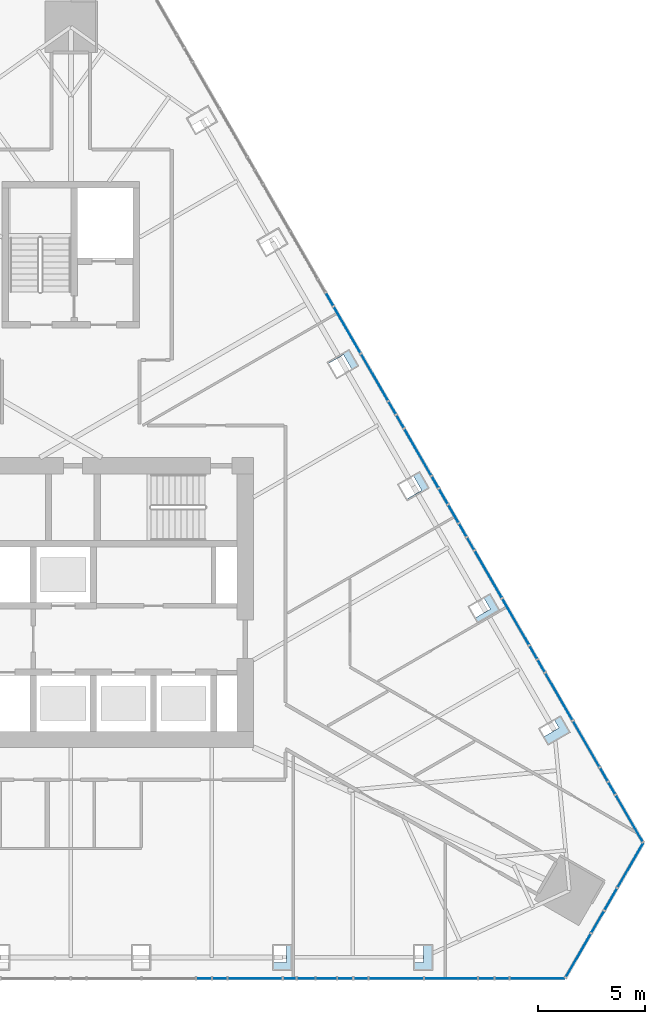
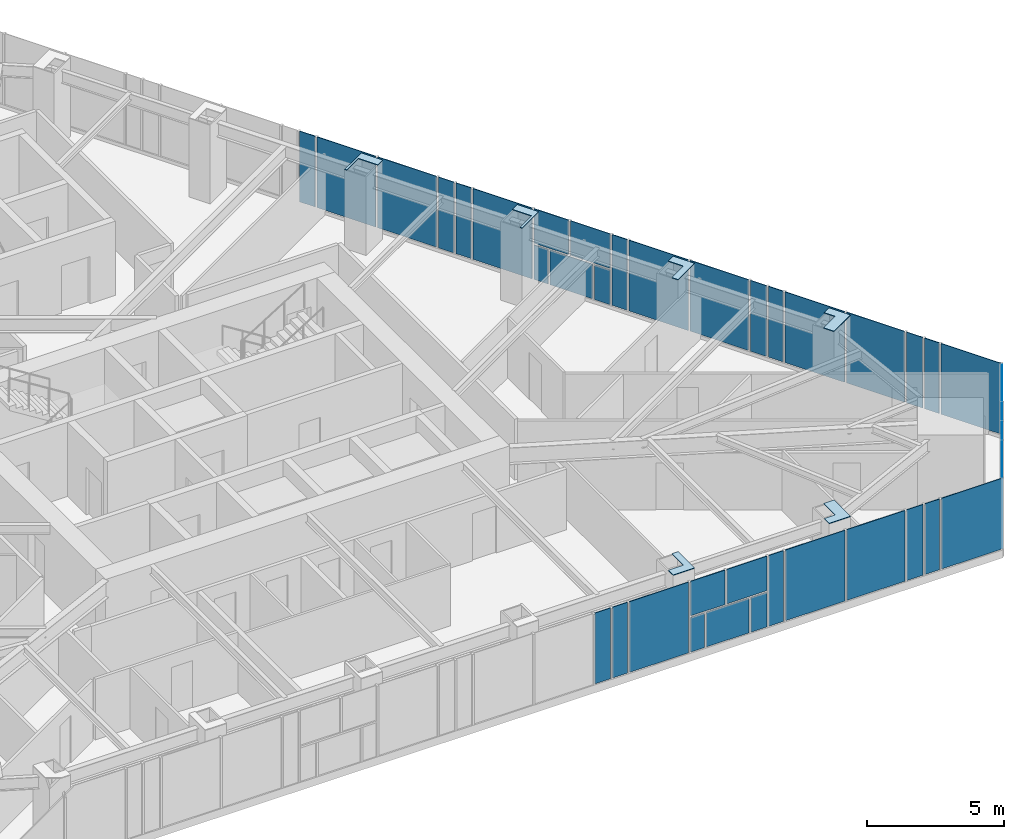
# One storey, part 13 of 20: 45 plates, 3 elements without a shape of their own.
"""IFC4 building model written with IfcOpenShell, lengths in metres."""

from ifc_helpers import new_model, si_unit, direction, frame, origin, place, context, subcontext, project, spatial, polyline, outline, extrude, material, layer, layer_set, type_object, element, aggregate, save


model = new_model("IFC4")

# Units and contexts
model_context = context("Model", 3, precision=1e-05, world=origin(), true_north=direction((0.0, 1.0)))
body_context = subcontext(model_context, "Body", "Model", "MODEL_VIEW")
ifc_project = project(units=[si_unit("LENGTHUNIT", "METRE"), si_unit("AREAUNIT", "SQUARE_METRE"), si_unit("VOLUMEUNIT", "CUBIC_METRE"), si_unit("PLANEANGLEUNIT", "RADIAN"), si_unit("MASSUNIT", "GRAM", prefix="KILO")], contexts=[model_context])

# Site, building, storey
site_placement = place(None, origin())
site = spatial("IfcSite", under=ifc_project, at=site_placement, CompositionType="ELEMENT")
building_placement = place(site_placement, origin())
building = spatial("IfcBuilding", under=site, at=building_placement, Name="Firuza Gate Tower and Library", CompositionType="ELEMENT")
storey_placement = place(building_placement, frame((0.0, 0.0, 277.60009765625)))
storey = spatial("IfcBuildingStorey", under=building, at=storey_placement, Name="L66", CompositionType="ELEMENT", Elevation=277.60009765625)

# Plates
ifc_material_1 = material(Name="Steel S355", Category="steel")
ifc_layer_1 = layer(ifc_material_1, 0.030029296875)
ifc_layer_set_1 = layer_set([ifc_layer_1], Name="Column infill plate 30 Steel S355")
plate_type_1 = type_object("IfcPlateType", Name="Column infill plate 30 Steel S355", PredefinedType="SHEET", material=ifc_layer_set_1)
placement_1 = place(storey_placement, frame((0.0, 0.0, 3.5)))
element("IfcPlate", 1, at=placement_1, inside=storey, type_object=plate_type_1, Name="Infill plate L66:S5", PredefinedType="SHEET", context=body_context, shape_type="SweptSolid", body=[
    extrude(outline(polyline([(85.298095703125, 59.076416015625), (85.033935546875, 59.076416015625), (85.033935546875, 58.23193359375), (84.39794921875, 58.23193359375), (84.39794921875, 57.876220703125), (85.298095703125, 57.876220703125), (85.298095703125, 59.076416015625)])), origin(), (0.0, 0.0, 1.0), 0.02978515625),
])
element("IfcPlate", 2, at=placement_1, inside=storey, type_object=plate_type_1, Name="Infill plate L66:S6", PredefinedType="SHEET", context=body_context, shape_type="SweptSolid", body=[
    extrude(outline(polyline([(91.86328125, 59.076416015625), (91.42333984375, 59.076416015625), (91.42333984375, 58.23193359375), (90.96337890625, 58.23193359375), (90.96337890625, 57.876220703125), (91.86328125, 57.876220703125), (91.86328125, 59.076416015625)])), origin(), (0.0, 0.0, 1.0), 0.02978515625),
])
element("IfcPlate", 3, at=placement_1, inside=storey, type_object=plate_type_1, Name="Infill plate L66:E1", PredefinedType="SHEET", context=body_context, shape_type="SweptSolid", body=[
    extrude(outline(polyline([(97.811279296875, 69.737060546875), (97.503173828125, 69.559326171875), (97.733154296875, 69.160888671875), (97.001953125, 68.73876953125), (97.221923828125, 68.357666015625), (98.26123046875, 68.957763671875), (97.811279296875, 69.737060546875)])), origin(), (0.0, 0.0, 1.0), 0.02978515625),
])
element("IfcPlate", 4, at=placement_1, inside=storey, type_object=plate_type_1, Name="Infill plate L66:E2", PredefinedType="SHEET", context=body_context, shape_type="SweptSolid", body=[
    extrude(outline(polyline([(94.528564453125, 75.4228515625), (94.220458984375, 75.2451171875), (94.53857421875, 74.6943359375), (93.807373046875, 74.272216796875), (93.939208984375, 74.04345703125), (94.978515625, 74.6435546875), (94.528564453125, 75.4228515625)])), origin(), (0.0, 0.0, 1.0), 0.02978515625),
])
element("IfcPlate", 5, at=placement_1, inside=storey, type_object=plate_type_1, Name="Infill plate L66:E3", PredefinedType="SHEET", context=body_context, shape_type="SweptSolid", body=[
    extrude(outline(polyline([(91.245849609375, 81.108642578125), (90.937744140625, 80.930908203125), (91.34375, 80.2275390625), (90.612548828125, 79.805419921875), (90.65673828125, 79.729248046875), (91.69580078125, 80.329345703125), (91.245849609375, 81.108642578125)])), origin(), (0.0, 0.0, 1.0), 0.02978515625),
])
element("IfcPlate", 6, at=placement_1, inside=storey, type_object=plate_type_1, Name="Infill plate L66:E4", PredefinedType="SHEET", context=body_context, shape_type="SweptSolid", body=[
    extrude(outline(polyline([(86.924072265625, 86.1943359375), (86.968017578125, 86.1181640625), (87.69921875, 86.540283203125), (88.105224609375, 85.837158203125), (88.4130859375, 86.014892578125), (87.963134765625, 86.79443359375), (86.924072265625, 86.1943359375)])), origin(), (0.0, 0.0, 1.0), 0.02978515625),
])

# Curtain wall, plates
ifc_material_2 = material(Name="Aluminium 6063-T6", Category="aluminium")
ifc_layer_2 = layer(ifc_material_2, 0.14990234375)
ifc_layer_set_2 = layer_set([ifc_layer_2], Name="Corner curtain wall, chamfers")
curtain_wall_type_1 = type_object("IfcCurtainWallType", Name="Corner curtain wall, chamfers", PredefinedType="NOTDEFINED", material=ifc_layer_set_2)
placement_2 = place(storey_placement, origin())
curtain_wall_1 = element("IfcCurtainWall", 7, at=placement_2, inside=storey, type_object=curtain_wall_type_1, Name="CW4 L66 SE corner", PredefinedType="NOTDEFINED")
ifc_material_3 = material(Name="Fritted glass", Category="glass")
ifc_layer_3 = layer(ifc_material_3, 0.030029296875)
ifc_layer_set_3 = layer_set([ifc_layer_3], Name="Fritted glass unit, corners")
plate_type_2 = type_object("IfcPlateType", Name="Fritted glass unit, corners", PredefinedType="CURTAIN_PANEL", material=ifc_layer_set_3)
plate_7_placement = place(storey_placement, frame((99.265625, 59.625244140625, 0.14990234375), z_axis=(0.866064577141, -0.499932143616, 0.0), x_axis=(0.499932143616, 0.866064577141, 0.0)))
plate_7 = element("IfcPlate", 8, at=plate_7_placement, type_object=plate_type_2, Name="Glass unit", PredefinedType="CURTAIN_PANEL", context=body_context, shape_type="SweptSolid", body=[
    extrude(outline(polyline([(0.0, 0.0), (1.1422448609608669, 0.0), (1.1422448609608669, 3.14990234375), (0.0, 3.14990234375), (0.0, 0.0)])), origin(), (0.0, 0.0, -1.0), 0.030029296875),
])
plate_8_placement = place(storey_placement, frame((99.876708984375, 60.68359375, 0.14990234375), z_axis=(0.866064577141, -0.499932143616, 0.0), x_axis=(0.499932143616, 0.866064577141, 0.0)))
plate_8 = element("IfcPlate", 9, at=plate_8_placement, type_object=plate_type_2, Name="Glass unit", PredefinedType="CURTAIN_PANEL", context=body_context, shape_type="SweptSolid", body=[
    extrude(outline(polyline([(0.0, 0.0), (1.1422448609608669, 0.0), (1.1422448609608669, 3.14990234375), (0.0, 3.14990234375), (0.0, 0.0)])), origin(), (0.0, 0.0, -1.0), 0.030029296875),
])

ifc_material_4 = material(Name="Aluminium 6063-T6", Category="aluminium")
ifc_layer_4 = layer(ifc_material_4, 0.14990234375)
ifc_layer_set_4 = layer_set([ifc_layer_4], Name="Unitised curtain wall, residences")
curtain_wall_type_2 = type_object("IfcCurtainWallType", Name="Unitised curtain wall, residences", PredefinedType="NOTDEFINED", material=ifc_layer_set_4)
curtain_wall_2 = element("IfcCurtainWall", 10, at=placement_2, inside=storey, type_object=curtain_wall_type_2, Name="CW3 L66 S face", PredefinedType="NOTDEFINED")
ifc_material_5 = material(Name="Fritted glass", Category="glass")
ifc_layer_5 = layer(ifc_material_5, 0.030029296875)
ifc_layer_set_5 = layer_set([ifc_layer_5], Name="Fritted glass unit, residences")
plate_type_3 = type_object("IfcPlateType", Name="Fritted glass unit, residences", PredefinedType="CURTAIN_PANEL", material=ifc_layer_set_5)
plate_9_placement = place(storey_placement, frame((80.875, 57.486328125, 0.14990234375), z_axis=(0.0, -1.0, 0.0), x_axis=(1.0, 0.0, 0.0)))
plate_9 = element("IfcPlate", 11, at=plate_9_placement, type_object=plate_type_3, Name="Glass unit", PredefinedType="CURTAIN_PANEL", context=body_context, shape_type="SweptSolid", body=[
    extrude(outline(polyline([(0.0, 0.0), (0.66259765625, 0.0), (0.66259765625, 3.14990234375), (0.0, 3.14990234375), (0.0, 0.0)])), origin(), (0.0, 0.0, -1.0), 0.030029296875),
])
plate_10_placement = place(storey_placement, frame((81.61767578125, 57.486328125, 0.14990234375), z_axis=(0.0, -1.0, 0.0), x_axis=(1.0, 0.0, 0.0)))
plate_10 = element("IfcPlate", 12, at=plate_10_placement, type_object=plate_type_3, Name="Glass unit", PredefinedType="CURTAIN_PANEL", context=body_context, shape_type="SweptSolid", body=[
    extrude(outline(polyline([(0.0, 0.0), (0.637939453125, 0.0), (0.637939453125, 3.14990234375), (0.0, 3.14990234375), (0.0, 0.0)])), origin(), (0.0, 0.0, -1.0), 0.030029296875),
])
plate_11_placement = place(storey_placement, frame((84.906494140625, 57.486328125, 0.14990234375), z_axis=(0.0, -1.0, 0.0), x_axis=(1.0, 0.0, 0.0)))
plate_11 = element("IfcPlate", 13, at=plate_11_placement, type_object=plate_type_3, Name="Glass unit", PredefinedType="CURTAIN_PANEL", context=body_context, shape_type="SweptSolid", body=[
    extrude(outline(polyline([(0.0, 0.0), (0.57861328125, 0.0), (0.57861328125, 1.534912109375), (0.0, 1.534912109375), (0.0, 0.0)])), origin(), (0.0, 0.0, -1.0), 0.030029296875),
])
plate_12_placement = place(storey_placement, frame((87.4404296875, 57.486328125, 0.14990234375), z_axis=(0.0, -1.0, 0.0), x_axis=(1.0, 0.0, 0.0)))
plate_12 = element("IfcPlate", 14, at=plate_12_placement, type_object=plate_type_3, Name="Glass unit", PredefinedType="CURTAIN_PANEL", context=body_context, shape_type="SweptSolid", body=[
    extrude(outline(polyline([(0.0, 0.0), (0.675048828125, 0.0), (0.675048828125, 1.534912109375), (0.0, 1.534912109375), (0.0, 0.0)])), origin(), (0.0, 0.0, -1.0), 0.030029296875),
])
plate_13_placement = place(storey_placement, frame((86.4306640625, 57.486328125, 1.764892578125), z_axis=(0.0, -1.0, 0.0), x_axis=(1.0, 0.0, 0.0)))
plate_13 = element("IfcPlate", 15, at=plate_13_placement, type_object=plate_type_3, Name="Glass unit", PredefinedType="CURTAIN_PANEL", context=body_context, shape_type="SweptSolid", body=[
    extrude(outline(polyline([(0.0, 0.0), (1.684814453125, 0.0), (1.684814453125, 1.534912109375), (0.0, 1.534912109375), (0.0, 0.0)])), origin(), (0.0, 0.0, -1.0), 0.030029296875),
])
plate_14_placement = place(storey_placement, frame((88.1953125, 57.486328125, 0.14990234375), z_axis=(0.0, -1.0, 0.0), x_axis=(1.0, 0.0, 0.0)))
plate_14 = element("IfcPlate", 16, at=plate_14_placement, type_object=plate_type_3, Name="Glass unit", PredefinedType="CURTAIN_PANEL", context=body_context, shape_type="SweptSolid", body=[
    extrude(outline(polyline([(0.0, 0.0), (0.62548828125, 0.0), (0.62548828125, 3.14990234375), (0.0, 3.14990234375), (0.0, 0.0)])), origin(), (0.0, 0.0, -1.0), 0.030029296875),
])
plate_15_placement = place(storey_placement, frame((94.005859375, 57.486328125, 0.14990234375), z_axis=(0.0, -1.0, 0.0), x_axis=(1.0, 0.0, 0.0)))
plate_15 = element("IfcPlate", 17, at=plate_15_placement, type_object=plate_type_3, Name="Glass unit", PredefinedType="CURTAIN_PANEL", context=body_context, shape_type="SweptSolid", body=[
    extrude(outline(polyline([(0.0, 0.0), (0.687255859375, 0.0), (0.687255859375, 3.14990234375), (0.0, 3.14990234375), (0.0, 0.0)])), origin(), (0.0, 0.0, -1.0), 0.030029296875),
])
plate_16_placement = place(storey_placement, frame((94.773193359375, 57.486328125, 0.14990234375), z_axis=(0.0, -1.0, 0.0), x_axis=(1.0, 0.0, 0.0)))
plate_16 = element("IfcPlate", 18, at=plate_16_placement, type_object=plate_type_3, Name="Glass unit", PredefinedType="CURTAIN_PANEL", context=body_context, shape_type="SweptSolid", body=[
    extrude(outline(polyline([(0.0, 0.0), (0.613037109375, 0.0), (0.613037109375, 3.14990234375), (0.0, 3.14990234375), (0.0, 0.0)])), origin(), (0.0, 0.0, -1.0), 0.030029296875),
])

curtain_wall_3 = element("IfcCurtainWall", 19, at=placement_2, inside=storey, type_object=curtain_wall_type_2, Name="CW3 L66 E face", PredefinedType="NOTDEFINED")
plate_17_placement = place(storey_placement, frame((100.3603515625, 66.101806640625, 0.14990234375), z_axis=(0.865980029404, 0.500078582497, 0.0), x_axis=(-0.500078582497, 0.865980029404, 0.0)))
plate_17 = element("IfcPlate", 20, at=plate_17_placement, type_object=plate_type_3, Name="Glass unit", PredefinedType="CURTAIN_PANEL", context=body_context, shape_type="SweptSolid", body=[
    extrude(outline(polyline([(0.0, 0.0), (0.6131848788016326, 0.0), (0.6131848788016326, 3.14990234375), (0.0, 3.14990234375), (0.0, 0.0)])), origin(), (0.0, 0.0, -1.0), 0.030029296875),
])
plate_18_placement = place(storey_placement, frame((100.013916015625, 66.7021484375, 0.14990234375), z_axis=(0.865960792519, 0.5001118933, 0.0), x_axis=(-0.5001118933, 0.865960792519, 0.0)))
plate_18 = element("IfcPlate", 21, at=plate_18_placement, type_object=plate_type_3, Name="Glass unit", PredefinedType="CURTAIN_PANEL", context=body_context, shape_type="SweptSolid", body=[
    extrude(outline(polyline([(0.0, 0.0), (0.6873461811346134, 0.0), (0.6873461811346134, 3.14990234375), (0.0, 3.14990234375), (0.0, 0.0)])), origin(), (0.0, 0.0, -1.0), 0.030029296875),
])
plate_19_placement = place(storey_placement, frame((97.07763671875, 71.78759765625, 0.14990234375), z_axis=(0.866049104564, 0.499958946799, 0.0), x_axis=(-0.499958946799, 0.866049104564, 0.0)))
plate_19 = element("IfcPlate", 22, at=plate_19_placement, type_object=plate_type_3, Name="Glass unit", PredefinedType="CURTAIN_PANEL", context=body_context, shape_type="SweptSolid", body=[
    extrude(outline(polyline([(0.0, 0.0), (0.6255396420596755, 0.0), (0.6255396420596755, 3.14990234375), (0.0, 3.14990234375), (0.0, 0.0)])), origin(), (0.0, 0.0, -1.0), 0.030029296875),
])
plate_20_placement = place(storey_placement, frame((96.72509765625, 72.3984375, 0.14990234375), z_axis=(0.865986868696, 0.500066738792, 0.0), x_axis=(-0.500066738792, 0.865986868696, 0.0)))
plate_20 = element("IfcPlate", 23, at=plate_20_placement, type_object=plate_type_3, Name="Glass unit", PredefinedType="CURTAIN_PANEL", context=body_context, shape_type="SweptSolid", body=[
    extrude(outline(polyline([(0.0, 0.0), (0.675202844305737, 0.0), (0.675202844305737, 3.14990234375), (0.0, 3.14990234375), (0.0, 0.0)])), origin(), (0.0, 0.0, -1.0), 0.030029296875),
])
plate_21_placement = place(storey_placement, frame((93.795166015625, 77.473388671875, 0.14990234375), z_axis=(0.865854018966, 0.500296729792, 0.0), x_axis=(-0.500296729792, 0.865854018966, 0.0)))
plate_21 = element("IfcPlate", 24, at=plate_21_placement, type_object=plate_type_3, Name="Glass unit", PredefinedType="CURTAIN_PANEL", context=body_context, shape_type="SweptSolid", body=[
    extrude(outline(polyline([(0.0, 0.0), (0.6378050822116818, 0.0), (0.6378050822116818, 3.149902343750001), (0.0, 3.149902343750001), (0.0, 0.0)])), origin(), (0.0, 0.0, -1.0), 0.030029296875),
])
plate_22_placement = place(storey_placement, frame((93.43603515625, 78.094970703125, 0.14990234375), z_axis=(0.866081306307, 0.499903161488, 0.0), x_axis=(-0.499903161488, 0.866081306307, 0.0)))
plate_22 = element("IfcPlate", 25, at=plate_22_placement, type_object=plate_type_3, Name="Glass unit", PredefinedType="CURTAIN_PANEL", context=body_context, shape_type="SweptSolid", body=[
    extrude(outline(polyline([(0.0, 0.0), (0.6627260110514617, 0.0), (0.6627260110514617, 1.5349121093749998), (0.0, 1.5349121093749998), (0.0, 0.0)])), origin(), (0.0, 0.0, -1.0), 0.030029296875),
])
plate_23_placement = place(storey_placement, frame((92.127197265625, 80.3623046875, 0.14990234375), z_axis=(0.86604797581, 0.499960902066, 0.0), x_axis=(-0.499960902066, 0.86604797581, 0.0)))
plate_23 = element("IfcPlate", 26, at=plate_23_placement, type_object=plate_type_3, Name="Glass unit", PredefinedType="CURTAIN_PANEL", context=body_context, shape_type="SweptSolid", body=[
    extrude(outline(polyline([(0.0, 0.0), (0.590866515819954, 0.0), (0.590866515819954, 1.534912109375), (0.0, 1.534912109375), (0.0, 0.0)])), origin(), (0.0, 0.0, -1.0), 0.030029296875),
])
plate_24_placement = place(storey_placement, frame((93.43603515625, 78.094970703125, 1.764892578125), z_axis=(0.866051895906, 0.499954111491, 0.0), x_axis=(-0.499954111491, 0.866051895906, 0.0)))
plate_24 = element("IfcPlate", 27, at=plate_24_placement, type_object=plate_type_3, Name="Glass unit", PredefinedType="CURTAIN_PANEL", context=body_context, shape_type="SweptSolid", body=[
    extrude(outline(polyline([(0.0, 0.0), (1.672516779851061, 0.0), (1.672516779851061, 1.534912109375), (0.0, 1.534912109375), (0.0, 0.0)])), origin(), (0.0, 0.0, -1.0), 0.030029296875),
])
plate_25_placement = place(storey_placement, frame((90.512451171875, 83.1591796875, 0.14990234375), z_axis=(0.865922902183, 0.50017749597, 0.0), x_axis=(-0.50017749597, 0.865922902183, 0.0)))
plate_25 = element("IfcPlate", 28, at=plate_25_placement, type_object=plate_type_3, Name="Glass unit", PredefinedType="CURTAIN_PANEL", context=body_context, shape_type="SweptSolid", body=[
    extrude(outline(polyline([(0.0, 0.0), (0.6501598235024999, 0.0), (0.6501598235024999, 3.14990234375), (0.0, 3.14990234375), (0.0, 0.0)])), origin(), (0.0, 0.0, -1.0), 0.030029296875),
])
plate_26_placement = place(storey_placement, frame((90.147216796875, 83.79150390625, 0.14990234375), z_axis=(0.866085525409, 0.49989585183, 0.0), x_axis=(-0.49989585183, 0.866085525409, 0.0)))
plate_26 = element("IfcPlate", 29, at=plate_26_placement, type_object=plate_type_3, Name="Glass unit", PredefinedType="CURTAIN_PANEL", context=body_context, shape_type="SweptSolid", body=[
    extrude(outline(polyline([(0.0, 0.0), (0.650037744233183, 0.0), (0.650037744233183, 3.14990234375), (0.0, 3.14990234375), (0.0, 0.0)])), origin(), (0.0, 0.0, -1.0), 0.030029296875),
])
plate_27_placement = place(storey_placement, frame((87.229736328125, 88.8447265625, 0.14990234375), z_axis=(0.866081306307, 0.499903161488, 0.0), x_axis=(-0.499903161488, 0.866081306307, 0.0)))
plate_27 = element("IfcPlate", 30, at=plate_27_placement, type_object=plate_type_3, Name="Glass unit", PredefinedType="CURTAIN_PANEL", context=body_context, shape_type="SweptSolid", body=[
    extrude(outline(polyline([(0.0, 0.0), (0.6627260110514617, 0.0), (0.6627260110514617, 3.14990234375), (0.0, 3.14990234375), (0.0, 0.0)])), origin(), (0.0, 0.0, -1.0), 0.030029296875),
])

# Plate
ifc_material_6 = material(Name="Glazed ceramic tile")
ifc_layer_6 = layer(ifc_material_6, 0.030029296875)
ifc_layer_set_6 = layer_set([ifc_layer_6], Name="Opaque ceramic panel, corners")
plate_type_4 = type_object("IfcPlateType", Name="Opaque ceramic panel, corners", PredefinedType="CURTAIN_PANEL", material=ifc_layer_set_6)
plate_28_placement = place(storey_placement, frame((98.054931640625, 57.528564453125, 0.14990234375), z_axis=(0.865994543198, -0.500053448294, 0.0), x_axis=(0.500053448294, 0.865994543198, 0.0)))
plate_28 = element("IfcPlate", 31, at=plate_28_placement, type_object=plate_type_4, Name="Opaque ceramic panel", PredefinedType="CURTAIN_PANEL", context=body_context, shape_type="SweptSolid", body=[
    extrude(outline(polyline([(0.0, 0.0), (2.3410583425997658, 0.0), (2.3410583425997658, 3.14990234375), (0.0, 3.14990234375), (0.0, 0.0)])), origin(), (0.0, 0.0, -1.0), 0.030029296875),
])

plate_29_placement = place(storey_placement, frame((100.48779296875, 61.7421875, 0.14990234375), z_axis=(0.866039702589, -0.499975232926, 0.0), x_axis=(0.499975232926, 0.866039702589, 0.0)))
plate_29 = element("IfcPlate", 32, at=plate_29_placement, type_object=plate_type_4, Name="Opaque ceramic panel", PredefinedType="CURTAIN_PANEL", context=body_context, shape_type="SweptSolid", body=[
    extrude(outline(polyline([(0.0, 0.0), (2.340936268785892, 0.0), (2.340936268785892, 3.149902343750001), (0.0, 3.149902343750001), (0.0, 0.0)])), origin(), (0.0, 0.0, -1.0), 0.030029296875),
])

aggregate(curtain_wall_1, [plate_28, plate_7, plate_8, plate_29])

ifc_material_7 = material(Name="Glazed ceramic tile")
ifc_layer_7 = layer(ifc_material_7, 0.030029296875)
ifc_layer_set_7 = layer_set([ifc_layer_7], Name="Opaque ceramic panel, residences")
plate_type_5 = type_object("IfcPlateType", Name="Opaque ceramic panel, residences", PredefinedType="CURTAIN_PANEL", material=ifc_layer_set_7)
plate_30_placement = place(storey_placement, frame((82.33544921875, 57.486328125, 0.14990234375), z_axis=(0.0, -1.0, 0.0), x_axis=(1.0, 0.0, 0.0)))
plate_30 = element("IfcPlate", 33, at=plate_30_placement, type_object=plate_type_5, Name="Opaque ceramic panel", PredefinedType="CURTAIN_PANEL", context=body_context, shape_type="SweptSolid", body=[
    extrude(outline(polyline([(0.0, 0.0), (2.4912109375, 0.0), (2.4912109375, 3.14990234375), (0.0, 3.14990234375), (0.0, 0.0)])), origin(), (0.0, 0.0, -1.0), 0.030029296875),
])

plate_31_placement = place(storey_placement, frame((85.565185546875, 57.486328125, 0.14990234375), z_axis=(0.0, -1.0, 0.0), x_axis=(1.0, 0.0, 0.0)))
plate_31 = element("IfcPlate", 34, at=plate_31_placement, type_object=plate_type_5, Name="Opaque ceramic panel", PredefinedType="CURTAIN_PANEL", context=body_context, shape_type="SweptSolid", body=[
    extrude(outline(polyline([(0.0, 0.0), (1.795166015625, 0.0), (1.795166015625, 1.534912109375), (0.0, 1.534912109375), (0.0, 0.0)])), origin(), (0.0, 0.0, -1.0), 0.030029296875),
])

plate_32_placement = place(storey_placement, frame((84.906494140625, 57.486328125, 1.764892578125), z_axis=(0.0, -1.0, 0.0), x_axis=(1.0, 0.0, 0.0)))
plate_32 = element("IfcPlate", 35, at=plate_32_placement, type_object=plate_type_5, Name="Opaque ceramic panel", PredefinedType="CURTAIN_PANEL", context=body_context, shape_type="SweptSolid", body=[
    extrude(outline(polyline([(0.0, 0.0), (1.444091796875, 0.0), (1.444091796875, 1.534912109375), (0.0, 1.534912109375), (0.0, 0.0)])), origin(), (0.0, 0.0, -1.0), 0.030029296875),
])

plate_33_placement = place(storey_placement, frame((88.90087890625, 57.486328125, 0.14990234375), z_axis=(0.0, -1.0, 0.0), x_axis=(1.0, 0.0, 0.0)))
plate_33 = element("IfcPlate", 36, at=plate_33_placement, type_object=plate_type_5, Name="Opaque ceramic panel", PredefinedType="CURTAIN_PANEL", context=body_context, shape_type="SweptSolid", body=[
    extrude(outline(polyline([(0.0, 0.0), (2.50341796875, 0.0), (2.50341796875, 3.14990234375), (0.0, 3.14990234375), (0.0, 0.0)])), origin(), (0.0, 0.0, -1.0), 0.030029296875),
])

plate_34_placement = place(storey_placement, frame((91.484375, 57.486328125, 0.14990234375), z_axis=(0.0, -1.0, 0.0), x_axis=(1.0, 0.0, 0.0)))
plate_34 = element("IfcPlate", 37, at=plate_34_placement, type_object=plate_type_5, Name="Opaque ceramic panel", PredefinedType="CURTAIN_PANEL", context=body_context, shape_type="SweptSolid", body=[
    extrude(outline(polyline([(0.0, 0.0), (2.44140625, 0.0), (2.44140625, 3.14990234375), (0.0, 3.14990234375), (0.0, 0.0)])), origin(), (0.0, 0.0, -1.0), 0.030029296875),
])

plate_35_placement = place(storey_placement, frame((95.46630859375, 57.486328125, 0.14990234375), z_axis=(0.0, -1.0, 0.0), x_axis=(1.0, 0.0, 0.0)))
plate_35 = element("IfcPlate", 38, at=plate_35_placement, type_object=plate_type_5, Name="Opaque ceramic panel", PredefinedType="CURTAIN_PANEL", context=body_context, shape_type="SweptSolid", body=[
    extrude(outline(polyline([(0.0, 0.0), (2.515625, 0.0), (2.515625, 3.14990234375), (0.0, 3.14990234375), (0.0, 0.0)])), origin(), (0.0, 0.0, -1.0), 0.030029296875),
])

aggregate(curtain_wall_2, [plate_9, plate_10, plate_30, plate_11, plate_31, plate_12, plate_32, plate_13, plate_14, plate_33, plate_34, plate_15, plate_16, plate_35])

plate_36_placement = place(storey_placement, frame((101.658203125, 63.853759765625, 0.14990234375), z_axis=(0.866036909293, 0.499980071345, 0.0), x_axis=(-0.499980071345, 0.866036909293, 0.0)))
plate_36 = element("IfcPlate", 39, at=plate_36_placement, type_object=plate_type_5, Name="Opaque ceramic panel", PredefinedType="CURTAIN_PANEL", context=body_context, shape_type="SweptSolid", body=[
    extrude(outline(polyline([(0.0, 0.0), (2.5157252700440838, 0.0), (2.5157252700440838, 3.1499023437499996), (0.0, 3.1499023437499996), (0.0, 0.0)])), origin(), (0.0, 0.0, -1.0), 0.030029296875),
])

plate_37_placement = place(storey_placement, frame((99.630126953125, 67.36669921875, 0.14990234375), z_axis=(0.866019052629, 0.500011000363, 0.0), x_axis=(-0.500011000363, 0.866019052629, 0.0)))
plate_37 = element("IfcPlate", 40, at=plate_37_placement, type_object=plate_type_5, Name="Opaque ceramic panel", PredefinedType="CURTAIN_PANEL", context=body_context, shape_type="SweptSolid", body=[
    extrude(outline(polyline([(0.0, 0.0), (2.441352538471667, 0.0), (2.441352538471667, 3.149902343750001), (0.0, 3.149902343750001), (0.0, 0.0)])), origin(), (0.0, 0.0, -1.0), 0.030029296875),
])

plate_38_placement = place(storey_placement, frame((98.369384765625, 69.55029296875, 0.14990234375), z_axis=(0.866019930389, 0.500009480079, 0.0), x_axis=(-0.500009480079, 0.866019930389, 0.0)))
plate_38 = element("IfcPlate", 41, at=plate_38_placement, type_object=plate_type_5, Name="Opaque ceramic panel", PredefinedType="CURTAIN_PANEL", context=body_context, shape_type="SweptSolid", body=[
    extrude(outline(polyline([(0.0, 0.0), (2.5033705044482844, 0.0), (2.5033705044482844, 3.14990234375), (0.0, 3.14990234375), (0.0, 0.0)])), origin(), (0.0, 0.0, -1.0), 0.030029296875),
])

plate_39_placement = place(storey_placement, frame((96.347412109375, 73.052490234375, 0.14990234375), z_axis=(0.866036465138, 0.499980840684, 0.0), x_axis=(-0.499980840684, 0.866036465138, 0.0)))
plate_39 = element("IfcPlate", 42, at=plate_39_placement, type_object=plate_type_5, Name="Opaque ceramic panel", PredefinedType="CURTAIN_PANEL", context=body_context, shape_type="SweptSolid", body=[
    extrude(outline(polyline([(0.0, 0.0), (2.453707303954895, 0.0), (2.453707303954895, 3.14990234375), (0.0, 3.14990234375), (0.0, 0.0)])), origin(), (0.0, 0.0, -1.0), 0.030029296875),
])

plate_40_placement = place(storey_placement, frame((95.08056640625, 75.246826171875, 0.14990234375), z_axis=(0.866002782049, 0.500039179948, 0.0), x_axis=(-0.500039179948, 0.866002782049, 0.0)))
plate_40 = element("IfcPlate", 43, at=plate_40_placement, type_object=plate_type_5, Name="Opaque ceramic panel", PredefinedType="CURTAIN_PANEL", context=body_context, shape_type="SweptSolid", body=[
    extrude(outline(polyline([(0.0, 0.0), (2.4910157417678986, 0.0), (2.4910157417678986, 3.14990234375), (0.0, 3.14990234375), (0.0, 0.0)])), origin(), (0.0, 0.0, -1.0), 0.030029296875),
])

plate_41_placement = place(storey_placement, frame((93.06494140625, 78.738037109375, 0.14990234375), z_axis=(0.866033874331, 0.499985328296, 0.0), x_axis=(-0.499985328296, 0.866033874331, 0.0)))
plate_41 = element("IfcPlate", 44, at=plate_41_placement, type_object=plate_type_5, Name="Opaque ceramic panel", PredefinedType="CURTAIN_PANEL", context=body_context, shape_type="SweptSolid", body=[
    extrude(outline(polyline([(0.0, 0.0), (1.795462841249622, 0.0), (1.795462841249622, 1.534912109375), (0.0, 1.534912109375), (0.0, 0.0)])), origin(), (0.0, 0.0, -1.0), 0.030029296875),
])

plate_42_placement = place(storey_placement, frame((92.559814453125, 79.612548828125, 1.764892578125), z_axis=(0.866110229381, 0.499853048967, 0.0), x_axis=(-0.499853048967, 0.866110229381, 0.0)))
plate_42 = element("IfcPlate", 45, at=plate_42_placement, type_object=plate_type_5, Name="Opaque ceramic panel", PredefinedType="CURTAIN_PANEL", context=body_context, shape_type="SweptSolid", body=[
    extrude(outline(polyline([(0.0, 0.0), (1.4564827507888618, 0.0), (1.4564827507888618, 1.534912109375), (0.0, 1.534912109375), (0.0, 0.0)])), origin(), (0.0, 0.0, -1.0), 0.030029296875),
])

plate_43_placement = place(storey_placement, frame((91.791748046875, 80.943359375, 0.14990234375), z_axis=(0.866028115054, 0.499995303914, 0.0), x_axis=(-0.499995303914, 0.866028115054, 0.0)))
plate_43 = element("IfcPlate", 46, at=plate_43_placement, type_object=plate_type_5, Name="Opaque ceramic panel", PredefinedType="CURTAIN_PANEL", context=body_context, shape_type="SweptSolid", body=[
    extrude(outline(polyline([(0.0, 0.0), (2.478538903862803, 0.0), (2.478538903862803, 3.14990234375), (0.0, 3.14990234375), (0.0, 0.0)])), origin(), (0.0, 0.0, -1.0), 0.030029296875),
])

plate_44_placement = place(storey_placement, frame((89.7822265625, 84.423828125, 0.14990234375), z_axis=(0.866028115054, 0.499995303914, 0.0), x_axis=(-0.499995303914, 0.866028115054, 0.0)))
plate_44 = element("IfcPlate", 47, at=plate_44_placement, type_object=plate_type_5, Name="Opaque ceramic panel", PredefinedType="CURTAIN_PANEL", context=body_context, shape_type="SweptSolid", body=[
    extrude(outline(polyline([(0.0, 0.0), (2.478538903862803, 0.0), (2.478538903862803, 3.14990234375), (0.0, 3.14990234375), (0.0, 0.0)])), origin(), (0.0, 0.0, -1.0), 0.030029296875),
])

plate_45_placement = place(storey_placement, frame((88.5029296875, 86.6396484375, 0.14990234375), z_axis=(0.86603558368, 0.49998236749, 0.0), x_axis=(-0.49998236749, 0.86603558368, 0.0)))
plate_45 = element("IfcPlate", 48, at=plate_45_placement, type_object=plate_type_5, Name="Opaque ceramic panel", PredefinedType="CURTAIN_PANEL", context=body_context, shape_type="SweptSolid", body=[
    extrude(outline(polyline([(0.0, 0.0), (2.466395571241198, 0.0), (2.466395571241198, 3.14990234375), (0.0, 3.14990234375), (0.0, 0.0)])), origin(), (0.0, 0.0, -1.0), 0.030029296875),
])

aggregate(curtain_wall_3, [plate_36, plate_17, plate_18, plate_37, plate_38, plate_19, plate_20, plate_39, plate_40, plate_21, plate_22, plate_41, plate_23, plate_24, plate_42, plate_43, plate_25, plate_26, plate_44, plate_45, plate_27])

save(model, "model.ifc")
